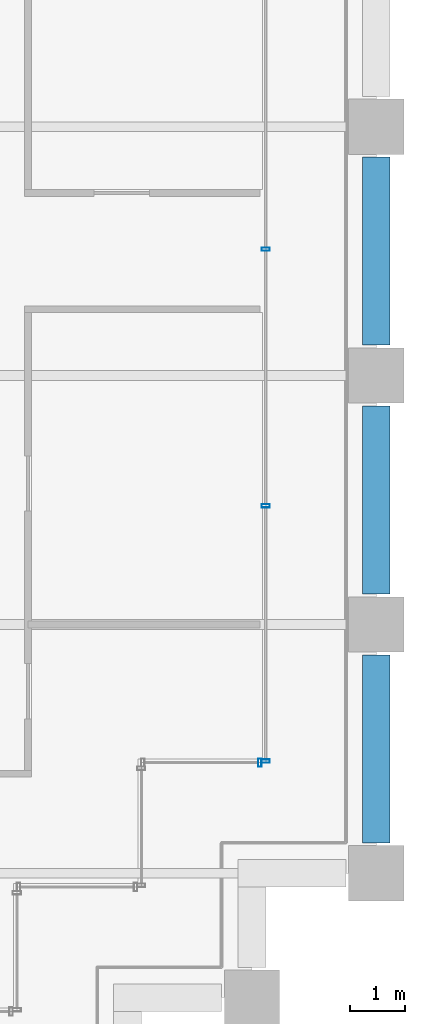
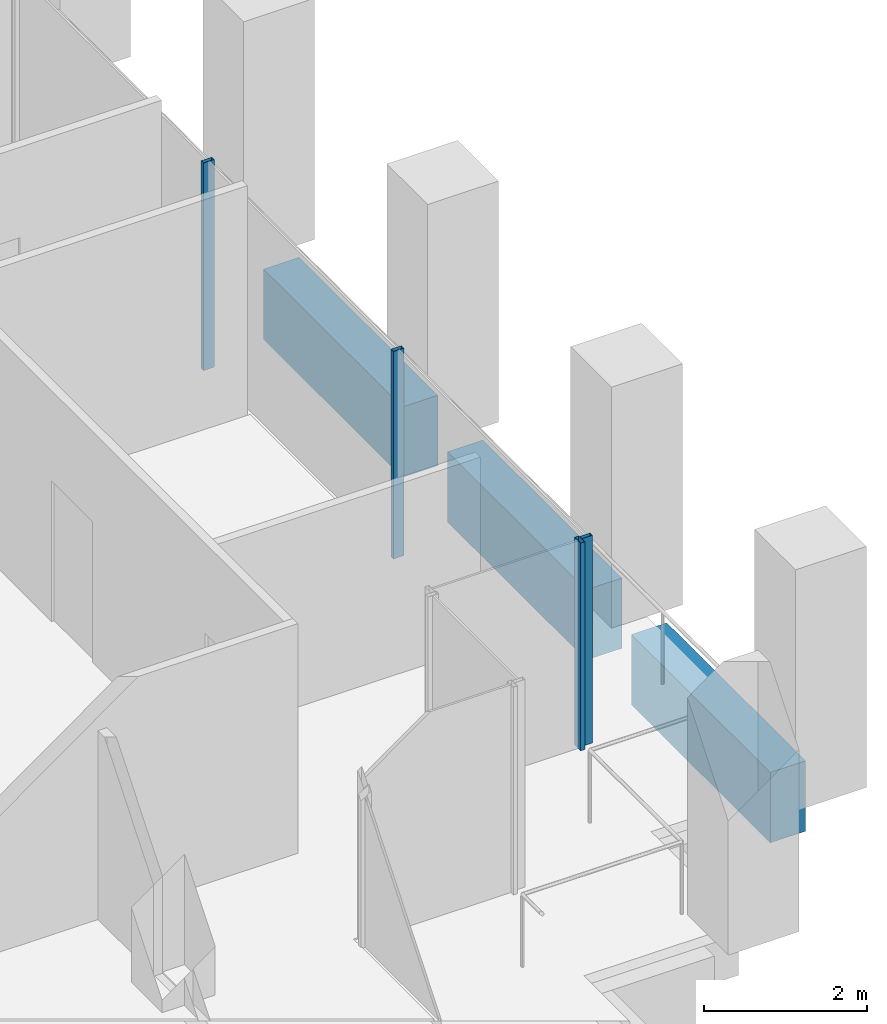
# One storey, part 41 of 52: 4 members, 3 beams, 2 elements without a shape of their own.
"""IFC4 building model written with IfcOpenShell, lengths in metres."""

from ifc_helpers import new_model, si_unit, direction, frame, origin, origin_2d, place, context, subcontext, project, spatial, rectangle, hollow_rectangle, extrude, material, material_profile, profile_set, type_object, element, aggregate, save


model = new_model("IFC4")

# Units and contexts
model_context = context("Model", 3, precision=1e-05, world=origin(), true_north=direction((0.0, 1.0)))
body_context = subcontext(model_context, "Body", "Model", "MODEL_VIEW")
ifc_project = project(units=[si_unit("LENGTHUNIT", "METRE"), si_unit("AREAUNIT", "SQUARE_METRE"), si_unit("VOLUMEUNIT", "CUBIC_METRE"), si_unit("PLANEANGLEUNIT", "RADIAN"), si_unit("MASSUNIT", "GRAM", prefix="KILO")], contexts=[model_context])

# Site, building, storey
site_placement = place(None, origin())
site = spatial("IfcSite", under=ifc_project, at=site_placement, CompositionType="ELEMENT")
building_placement = place(site_placement, origin())
building = spatial("IfcBuilding", under=site, at=building_placement, Name="Altepetl Exchange Towers", CompositionType="ELEMENT")
storey_placement = place(building_placement, frame((0.0, 0.0, 92.0)))
storey = spatial("IfcBuildingStorey", under=building, at=storey_placement, Name="L22", CompositionType="ELEMENT", Elevation=92.0)

# Curtain wall, member
ifc_material_1 = material(Name="Aluminium 6063-T6 glazing", Category="aluminium")
curtain_wall_type = type_object("IfcCurtainWallType", Name="Loggia glazing system", PredefinedType="NOTDEFINED", material=ifc_material_1)
curtain_wall_1_placement = place(storey_placement, origin())
curtain_wall_1 = element("IfcCurtainWall", 1, at=curtain_wall_1_placement, inside=storey, type_object=curtain_wall_type, Name="CW1 run", PredefinedType="NOTDEFINED")
ifc_material_2 = material(Name="Aluminium 6063-T6", Category="aluminium")
ifc_material_profile_1 = material_profile(ifc_material_2, hollow_rectangle(XDim=0.06005859375, YDim=0.14990234375, WallThickness=0.0029296875, at=origin_2d()), Name="Mullion 60x150 aluminium")
ifc_profile_set_1 = profile_set([ifc_material_profile_1], Name="Aluminium 6063-T6")
member_type = type_object("IfcMemberType", Name="Mullion 60x150 aluminium", PredefinedType="MULLION", material=ifc_profile_set_1)
member_1_placement = place(storey_placement, frame((123.89501953125, 33.5, 0.0)))
member_1 = element("IfcMember", 2, at=member_1_placement, type_object=member_type, Name="MU1 mullion", PredefinedType="MULLION", context=body_context, shape_type="SweptSolid", body=[
    extrude(hollow_rectangle(XDim=0.06005859375, YDim=0.14990234375, WallThickness=0.0029296875, at=origin_2d()), origin(), (0.0, 0.0, 1.0), 3.10009765625),
])
aggregate(curtain_wall_1, [member_1])

# Curtain wall, members
curtain_wall_2_placement = place(storey_placement, origin())
curtain_wall_2 = element("IfcCurtainWall", 3, at=curtain_wall_2_placement, inside=storey, type_object=curtain_wall_type, Name="CW1 run", PredefinedType="NOTDEFINED")
member_2_placement = place(storey_placement, frame((124.0, 33.530029296875, 0.0), z_axis=(0.0, 0.0, 1.0), x_axis=(0.0, 1.0, 0.0)))
member_2 = element("IfcMember", 4, at=member_2_placement, type_object=member_type, Name="MU1 mullion", PredefinedType="MULLION", context=body_context, shape_type="SweptSolid", body=[
    extrude(hollow_rectangle(XDim=0.06005859375, YDim=0.14990234375, WallThickness=0.0029296875, at=origin_2d()), origin(), (0.0, 0.0, 1.0), 3.10009765625),
])
member_3_placement = place(storey_placement, frame((124.0, 38.1416015625, 0.0), z_axis=(0.0, 0.0, 1.0), x_axis=(0.0, 1.0, 0.0)))
member_3 = element("IfcMember", 5, at=member_3_placement, type_object=member_type, Name="MU1 mullion", PredefinedType="MULLION", context=body_context, shape_type="SweptSolid", body=[
    extrude(hollow_rectangle(XDim=0.06005859375, YDim=0.14990234375, WallThickness=0.0029296875, at=origin_2d()), origin(), (0.0, 0.0, 1.0), 3.10009765625),
])
member_4_placement = place(storey_placement, frame((124.0, 42.783447265625, 0.0), z_axis=(0.0, 0.0, 1.0), x_axis=(0.0, 1.0, 0.0)))
member_4 = element("IfcMember", 6, at=member_4_placement, type_object=member_type, Name="MU1 mullion", PredefinedType="MULLION", context=body_context, shape_type="SweptSolid", body=[
    extrude(hollow_rectangle(XDim=0.06005859375, YDim=0.14990234375, WallThickness=0.0029296875, at=origin_2d()), origin(), (0.0, 0.0, 1.0), 3.10009765625),
])
aggregate(curtain_wall_2, [member_2, member_3, member_4])

# Beams
ifc_material_3 = material(Name="Concrete C50/60 precast with cantera blanca facing", Category="concrete")
ifc_material_profile_2 = material_profile(ifc_material_3, rectangle(XDim=0.5, YDim=1.050048828125, at=origin_2d()), Name="500 x 1050")
ifc_profile_set_2 = profile_set([ifc_material_profile_2], Name="Concrete C50/60 precast with cantera blanca facing")
beam_type = type_object("IfcBeamType", Name="Spandrel beam 500x1050 cantera blanca", PredefinedType="SPANDREL", material=ifc_profile_set_2)
for number, where, z_axis, x_axis, name in (
    (7, (126.0, 32.050048828125, -0.675048828125), (0.0, 1.0, 0.0), (-1.0, 0.0, 0.0), "sp:B:L22:009"),
    (8, (126.0, 36.550048828125, -0.675048828125), (0.0, 1.0, 0.0), (-1.0, 0.0, 0.0), "sp:B:L22:010"),
    (9, (126.0, 41.050048828125, -0.675048828125), (0.0, 1.0, 0.0), (-1.0, 0.0, 0.0), "sp:B:L22:011"),
):
    element("IfcBeam", number, at=place(storey_placement, frame(where, z_axis=z_axis, x_axis=x_axis)), inside=storey, type_object=beam_type, Name=name, PredefinedType="SPANDREL", context=body_context, shape_type="SweptSolid", body=[
        extrude(rectangle(XDim=0.5, YDim=1.050048828125, at=origin_2d()), origin(), (0.0, 0.0, 1.0), 3.39990234375),
    ])

save(model, "model.ifc")
